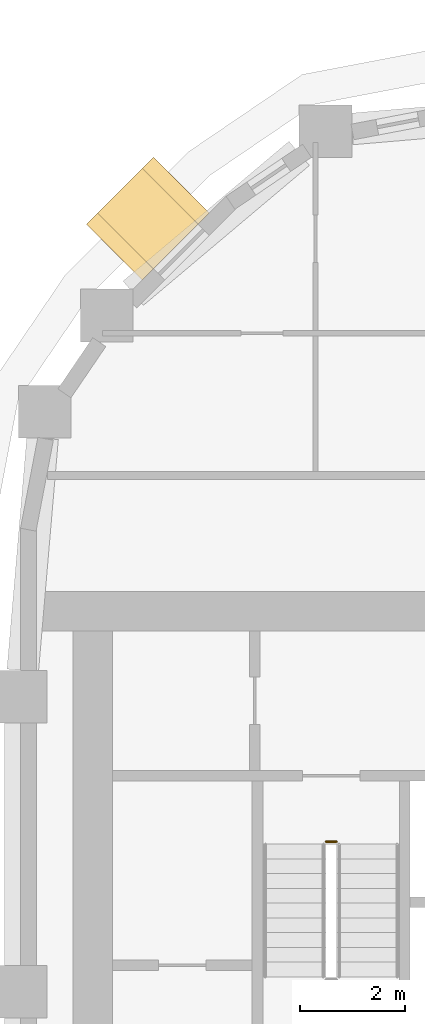
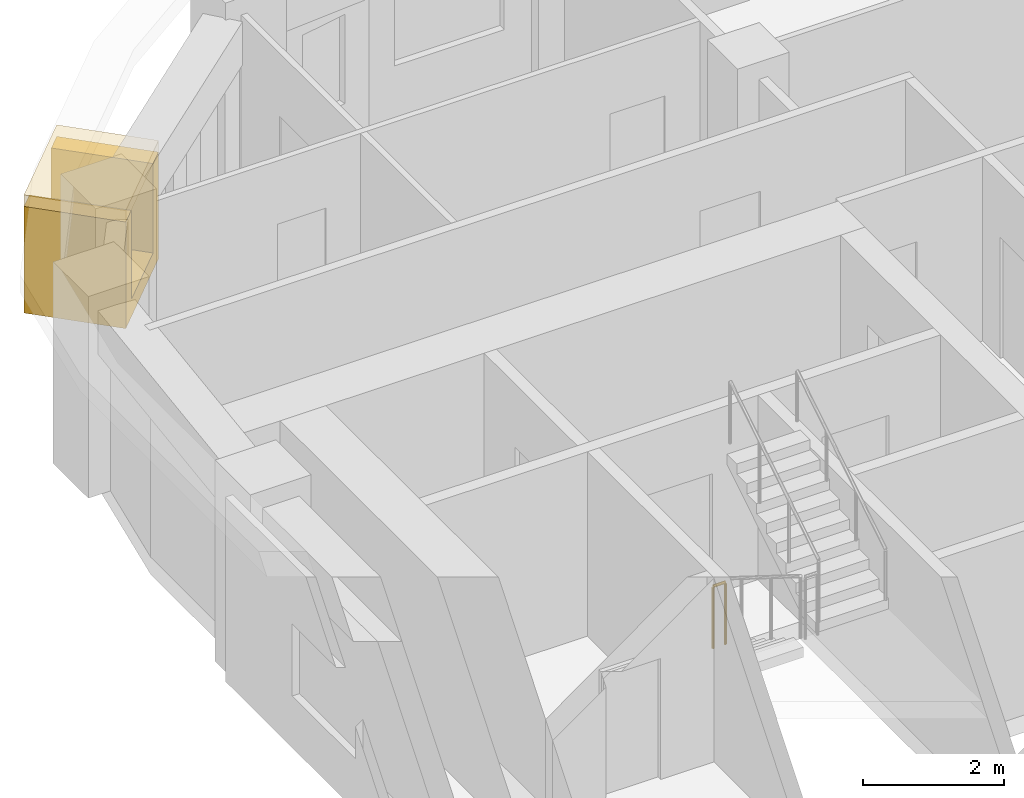
# One storey, part 20 of 22: 2 coverings, 1 railing.
"""IFC4 building model written with IfcOpenShell, lengths in metres."""

import ifcopenshell
import ifcopenshell.guid

model = None  # the IFC model being written
_history = None  # IfcOwnerHistory: only IFC2X3 demands one
_inside = {}  # id of a spatial element -> (the spatial element, [elements in it])
_under = {}  # id of a project, library or spatial element -> (it, [spatial elements below it])
_declared = {}  # id of a project -> (the project, [libraries it declares])
_typed = {}  # id of a type object -> (the type object, [elements of that type])
_made_of = {}  # id of a material, layer set ... -> (it, [elements and type objects made of it])


def new_model(schema):
    """Start an empty IFC model of exactly this schema.

    Asked for "IFC4X3", IfcOpenShell would pick the latest addendum, in which some entities
    have other attributes; the version numbers below select the first issue.
    IFC2X3 requires an IfcOwnerHistory on every rooted entity: one is made here for all.
    """
    global model, _history
    if schema == "IFC4X3":
        model = ifcopenshell.file(schema_version=(4, 3, 0, 0))
    else:
        model = ifcopenshell.file(schema=schema)
    _inside.clear()
    _under.clear()
    _declared.clear()
    _typed.clear()
    _made_of.clear()
    _history = None
    if model.schema == "IFC2X3":
        org = make("IfcOrganization", Name="unknown")
        user = make(
            "IfcPersonAndOrganization",
            ThePerson=make("IfcPerson", FamilyName="unknown"),
            TheOrganization=org,
        )
        app = make(
            "IfcApplication",
            ApplicationDeveloper=org,
            Version="unknown",
            ApplicationFullName="unknown",
            ApplicationIdentifier="unknown",
        )
        _history = make(
            "IfcOwnerHistory",
            OwningUser=user,
            OwningApplication=app,
            ChangeAction="ADDED",
            CreationDate=0,
        )
    return model


def make(cls, **values):
    """One entity of the class cls with the attributes given. An attribute that is None is left unset."""
    return model.create_entity(
        cls, **{name: value for name, value in values.items() if value is not None}
    )


def rooted(cls, **values):
    """An entity with a GlobalId (a new one), such as an element, a storey or a relation."""
    return make(cls, GlobalId=ifcopenshell.guid.new(), OwnerHistory=_history, **values)


def si_unit(unit_type, name, prefix=None):
    """IfcSIUnit, for example si_unit("LENGTHUNIT", "METRE", prefix="MILLI")."""
    return make("IfcSIUnit", UnitType=unit_type, Prefix=prefix, Name=name)


def assignment(units):
    """IfcUnitAssignment: the units of a project."""
    return None if units is None else make("IfcUnitAssignment", Units=units)


def point(xyz):
    """IfcCartesianPoint."""
    return None if xyz is None else make("IfcCartesianPoint", Coordinates=xyz)


def direction(xyz):
    """IfcDirection."""
    return None if xyz is None else make("IfcDirection", DirectionRatios=xyz)


def frame(location, z_axis=None, x_axis=None):
    """IfcAxis2Placement3D, a coordinate frame: its origin and axes. An axis left out is left unset."""
    return make(
        "IfcAxis2Placement3D",
        Location=point(location),
        Axis=direction(z_axis),
        RefDirection=direction(x_axis),
    )


def frame_2d(location, x_axis=None):
    """IfcAxis2Placement2D, a coordinate frame in the plane: its origin and x axis."""
    return make(
        "IfcAxis2Placement2D", Location=point(location), RefDirection=direction(x_axis)
    )


def origin():
    """The frame at (0, 0, 0) with its axes left unset."""
    return frame((0.0, 0.0, 0.0))


def origin_2d():
    """The frame at (0, 0) in the plane with its x axis left unset."""
    return frame_2d((0.0, 0.0))


def place(relative_to, where):
    """IfcLocalPlacement: puts the frame where relative to a parent placement (None: the world)."""
    return make(
        "IfcLocalPlacement", PlacementRelTo=relative_to, RelativePlacement=where
    )


def context(
    kind, dimensions, precision=None, world=None, true_north=None, identifier=None
):
    """IfcGeometricRepresentationContext, for example the 3D "Model" context."""
    return make(
        "IfcGeometricRepresentationContext",
        ContextIdentifier=identifier,
        ContextType=kind,
        CoordinateSpaceDimension=dimensions,
        Precision=precision,
        WorldCoordinateSystem=world,
        TrueNorth=true_north,
    )


def subcontext(parent, identifier, kind, view, scale=None):
    """IfcGeometricRepresentationSubContext, for example "Body" below "Model"."""
    return make(
        "IfcGeometricRepresentationSubContext",
        ContextIdentifier=identifier,
        ContextType=kind,
        ParentContext=parent,
        TargetScale=scale,
        TargetView=view,
    )


def project(units=None, contexts=None):
    """IfcProject with its units and contexts."""
    return rooted(
        "IfcProject",
        Name="project",
        RepresentationContexts=contexts,
        UnitsInContext=assignment(units),
    )


def spatial(cls, under=None, at=None, **own):
    """A site, building, storey or space (cls), placed at a placement, below another one or the project."""
    s = rooted(cls, ObjectPlacement=at, **own)
    if under is not None:
        _under.setdefault(under.id(), (under, []))[1].append(s)
    return s


def polyline(points):
    """IfcPolyline through the points."""
    return make("IfcPolyline", Points=[point(p) for p in points])


def profile(cls, at=None, kind="AREA", **sizes):
    """A parametric profile (cls). Its sizes go by their IFC names, for example OverallWidth=200.0."""
    return make(cls, ProfileType=kind, Position=at, **sizes)


def rectangle(**sizes):
    """IfcRectangleProfileDef."""
    return profile("IfcRectangleProfileDef", **sizes)


def circle(**sizes):
    """IfcCircleProfileDef."""
    return profile("IfcCircleProfileDef", **sizes)


def outline(outer, holes=None, kind="AREA"):
    """IfcArbitraryClosedProfileDef: a profile drawn as a closed curve; with holes, ...WithVoids."""
    if holes is None:
        return make("IfcArbitraryClosedProfileDef", ProfileType=kind, OuterCurve=outer)
    return make(
        "IfcArbitraryProfileDefWithVoids",
        ProfileType=kind,
        OuterCurve=outer,
        InnerCurves=holes,
    )


def extrude(swept, where, along, depth):
    """IfcExtrudedAreaSolid: the profile swept, set in the frame where, extruded along a direction by depth."""
    return make(
        "IfcExtrudedAreaSolid",
        SweptArea=swept,
        Position=where,
        ExtrudedDirection=direction(along),
        Depth=depth,
    )


def shape(context_of_items, identifier, shape_type, items):
    """IfcShapeRepresentation: the items that make up one representation, for example the "Body"."""
    return make(
        "IfcShapeRepresentation",
        ContextOfItems=context_of_items,
        RepresentationIdentifier=identifier,
        RepresentationType=shape_type,
        Items=items,
    )


def material(Name=None, Category=None):
    """IfcMaterial."""
    return make("IfcMaterial", Name=Name, Category=Category)


def layer(
    of_material, thickness, ventilated=None, Name=None, Category=None, Priority=None
):
    """IfcMaterialLayer: one layer of a wall or slab, of a material (None: an air gap)."""
    return make(
        "IfcMaterialLayer",
        Material=of_material,
        LayerThickness=thickness,
        IsVentilated=ventilated,
        Name=Name,
        Category=Category,
        Priority=Priority,
    )


def layer_set(layers, Name=None):
    """IfcMaterialLayerSet."""
    return make("IfcMaterialLayerSet", MaterialLayers=layers, LayerSetName=Name)


def made_of(thing, what):
    """Note that an element or type object is made of a material, layer set ...; save() writes the relation."""
    if what is not None:
        _made_of.setdefault(what.id(), (what, []))[1].append(thing)
    return thing


def type_object(cls, material=None, **own):
    """A type object (cls), such as IfcWallType, which elements share."""
    return made_of(rooted(cls, **own), material)


def element(
    cls,
    number,
    at=None,
    inside=None,
    cuts=None,
    type_object=None,
    material=None,
    context=None,
    identifier="Body",
    shape_type=None,
    held_by="IfcProductDefinitionShape",
    body=None,
    shapes=None,
    **own,
):
    """One element of the class cls, such as IfcWall. Its Tag is "e" and its number.

    at: its placement. inside: the storey or other place that contains it. cuts: it is an
    opening in that element (IfcRelVoidsElement). A single representation is given by context,
    identifier, shape_type and body (its items); several are given by shapes. held_by: the class
    of the entity that holds the representations. save() writes the other relations.
    """
    e = rooted(cls, Tag="e%d" % number, ObjectPlacement=at, **own)
    if body is not None:
        shapes = [shape(context, identifier, shape_type, body)]
    if shapes is not None:
        e.Representation = make(held_by, Representations=shapes)
    if inside is not None:
        _inside.setdefault(inside.id(), (inside, []))[1].append(e)
    if cuts is not None:
        rooted(
            "IfcRelVoidsElement", RelatingBuildingElement=cuts, RelatedOpeningElement=e
        )
    if type_object is not None:
        _typed.setdefault(type_object.id(), (type_object, []))[1].append(e)
    return made_of(e, material)


def aggregate(whole, parts):
    """IfcRelAggregates: a whole, such as a stair, and the parts it consists of."""
    return rooted("IfcRelAggregates", RelatingObject=whole, RelatedObjects=parts)


def save(model, path):
    """Write the relations noted so far, then the file.

    IfcRelAggregates (storeys below a building ...), IfcRelContainedInSpatialStructure (elements
    in a storey), IfcRelDefinesByType, IfcRelAssociatesMaterial and IfcRelDeclares: one each for
    every whole, place, type object, material and project.
    """
    for whole, parts in _under.values():
        aggregate(whole, parts)
    for where, things in _inside.values():
        rooted(
            "IfcRelContainedInSpatialStructure",
            RelatedElements=things,
            RelatingStructure=where,
        )
    for kind, things in _typed.values():
        rooted("IfcRelDefinesByType", RelatedObjects=things, RelatingType=kind)
    for what, things in _made_of.values():
        rooted("IfcRelAssociatesMaterial", RelatedObjects=things, RelatingMaterial=what)
    for by, libraries in _declared.values():
        rooted("IfcRelDeclares", RelatingContext=by, RelatedDefinitions=libraries)
    model.write(path)


model = new_model("IFC4")

# Units and contexts
model_context = context("Model", 3, precision=1e-05, world=origin(), true_north=direction((0.0, 1.0)))
body_context = subcontext(model_context, "Body", "Model", "MODEL_VIEW")
ifc_project = project(units=[si_unit("LENGTHUNIT", "METRE"), si_unit("AREAUNIT", "SQUARE_METRE"), si_unit("VOLUMEUNIT", "CUBIC_METRE"), si_unit("PLANEANGLEUNIT", "RADIAN"), si_unit("MASSUNIT", "GRAM", prefix="KILO")], contexts=[model_context])

# Site, building, storey
site_placement = place(None, origin())
site = spatial("IfcSite", under=ifc_project, at=site_placement, CompositionType="ELEMENT")
building_placement = place(site_placement, origin())
building = spatial("IfcBuilding", under=site, at=building_placement, Name="Kiln Ring Residences", CompositionType="ELEMENT")
storey_placement = place(building_placement, frame((0.0, 0.0, 164.10009765625)))
storey = spatial("IfcBuildingStorey", under=building, at=storey_placement, Name="L42", CompositionType="ELEMENT", Elevation=164.10009765625)

# Railing
ifc_material_1 = material(Name="Stainless steel", Category="steel")
railing_type = type_object("IfcRailingType", Name="CORE-STAIR-GUARD", PredefinedType="GUARDRAIL", material=ifc_material_1)
railing_placement = place(storey_placement, frame((-22.199951171875, 8.449951171875, 0.0)))
element("IfcRailing", 1, at=railing_placement, inside=storey, type_object=railing_type, Name="L42 W-STN stair guard 4", PredefinedType="GUARDRAIL", context=body_context, shape_type="SweptSolid", body=[
    extrude(circle(Radius=0.02392578125, at=origin_2d()), frame((0.0, 0.0, 1.076171875), z_axis=(1.0, 0.0, 0.0), x_axis=(0.0, 1.0, 0.0)), (0.0, 0.0, 1.0), 0.199951171875),
    extrude(circle(Radius=0.02099609375, at=origin_2d()), origin(), (0.0, 0.0, 1.0), 1.052001953125),
    extrude(circle(Radius=0.02099609375, at=origin_2d()), frame((0.199951171875, 0.0, 0.0)), (0.0, 0.0, 1.0), 1.052001953125),
])

# Coverings
ifc_material_2 = material(Name="Brick masonry, dark clay brick", Category="masonry")
ifc_layer_1 = layer(ifc_material_2, 0.300048828125)
ifc_layer_set_1 = layer_set([ifc_layer_1], Name="FRAME CHEEKS AND SILL 1500")
covering_type_1 = type_object("IfcCoveringType", Name="FRAME CHEEKS AND SILL 1500", PredefinedType="CLADDING", material=ifc_layer_set_1)
covering_1_placement = place(storey_placement, frame((-24.945556640625, 20.9150390625, 0.2998046875), z_axis=(0.0, 0.0, 1.0), x_axis=(-0.707106781187, -0.707106781187, 0.0)))
element("IfcCovering", 2, at=covering_1_placement, inside=storey, type_object=covering_type_1, Name="FRAME L42", PredefinedType="CLADDING", context=body_context, shape_type="SweptSolid", body=[
    extrude(outline(polyline([(0.0, 0.0), (1.7998046875, 0.0), (1.800048828125, 1.85009765625), (1.5009765625, 1.85009765625), (1.5, 0.300048828125), (0.300048828125, 0.300048828125), (0.299072265625, 1.85009765625), (0.0, 1.85009765625), (0.0, 0.0)])), frame((0.0, 0.75, 0.0), z_axis=(0.0, -1.0, 0.0), x_axis=(1.0, 0.0, 0.0)), (0.0, 0.0, 1.0), 1.5),
])
ifc_material_3 = material(Name="Brick masonry, dark clay brick", Category="masonry")
ifc_layer_2 = layer(ifc_material_3, 0.199951171875)
ifc_layer_set_2 = layer_set([ifc_layer_2], Name="FRAME HEAD 1500")
covering_type_2 = type_object("IfcCoveringType", Name="FRAME HEAD 1500", PredefinedType="CLADDING", material=ifc_layer_set_2)
covering_2_placement = place(storey_placement, frame((-25.58203125, 20.278564453125, 2.14990234375), z_axis=(0.0, 0.0, 1.0), x_axis=(-0.707106781187, -0.707106781187, 0.0)))
element("IfcCovering", 3, at=covering_2_placement, inside=storey, type_object=covering_type_2, Name="FRAME HEAD L42", PredefinedType="CLADDING", context=body_context, shape_type="SweptSolid", body=[
    extrude(rectangle(XDim=1.800048828125, YDim=1.5, at=origin_2d()), origin(), (0.0, 0.0, 1.0), 0.199951171875),
])

save(model, "model.ifc")
